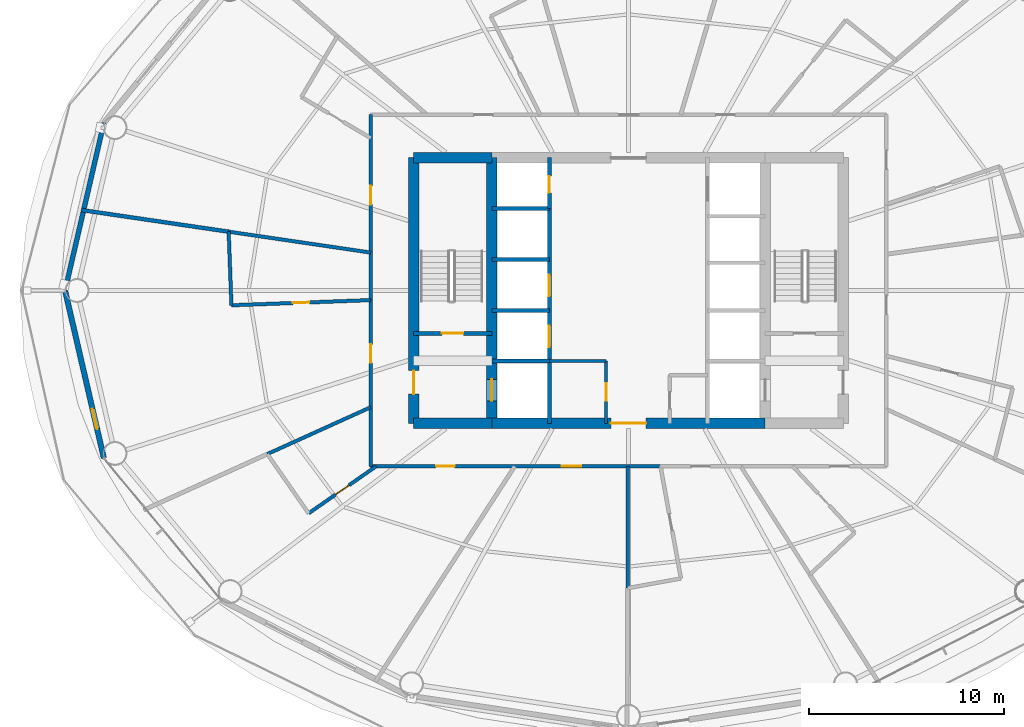
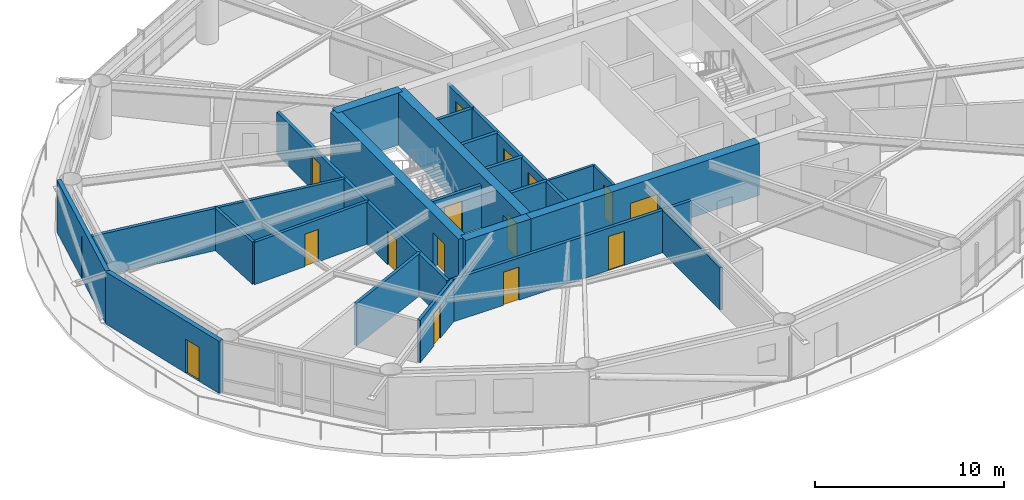
# One storey, part 18 of 24: 27 walls, 15 doors, 15 openings.
"""IFC4 building model written with IfcOpenShell, lengths in metres."""

from ifc_helpers import new_model, si_unit, direction, frame, frame_2d, origin, place, context, subcontext, project, spatial, rectangle, extrude, material, layer, layer_set, type_object, element, fill, save


model = new_model("IFC4")

# Units and contexts
model_context = context("Model", 3, precision=1e-05, world=origin(), true_north=direction((0.0, 1.0)))
body_context = subcontext(model_context, "Body", "Model", "MODEL_VIEW")
ifc_project = project(units=[si_unit("LENGTHUNIT", "METRE"), si_unit("AREAUNIT", "SQUARE_METRE"), si_unit("VOLUMEUNIT", "CUBIC_METRE"), si_unit("PLANEANGLEUNIT", "RADIAN"), si_unit("MASSUNIT", "GRAM", prefix="KILO")], contexts=[model_context])

# Site, building, storey
site_placement = place(None, origin())
site = spatial("IfcSite", under=ifc_project, at=site_placement, CompositionType="ELEMENT")
building_placement = place(site_placement, origin())
building = spatial("IfcBuilding", under=site, at=building_placement, Name="Sarneth Arch Tower", CompositionType="ELEMENT")
storey_placement = place(building_placement, frame((0.0, 0.0, 116.39990234375)))
storey = spatial("IfcBuildingStorey", under=building, at=storey_placement, Name="L29", CompositionType="ELEMENT", Elevation=116.39990234375)

# Wall
ifc_material_1 = material(Name="Concrete C60/75", Category="concrete")
ifc_layer_1 = layer(ifc_material_1, 0.550048828125)
ifc_layer_set_1 = layer_set([ifc_layer_1], Name="Concrete C60/75")
wall_type_1 = type_object("IfcWallType", Name="WALL-CORE-550", PredefinedType="SHEAR", material=ifc_layer_set_1)
wall_1_placement = place(storey_placement, frame((37.0, 35.199951171875, 0.0), z_axis=(0.0, 0.0, 1.0), x_axis=(1.0, 0.0, 0.0)))
element("IfcWall", 1, at=wall_1_placement, inside=storey, type_object=wall_type_1, Name="L29 Core shear wall S-W", PredefinedType="SHEAR", context=body_context, shape_type="SweptSolid", body=[
    extrude(rectangle(XDim=4.0, YDim=0.550048828125, at=frame_2d((2.0, 0.0))), origin(), (0.0, 0.0, 1.0), 3.380126953125),
])

# Wall, opening, door
wall_2_placement = place(storey_placement, frame((41.0, 35.199951171875, 0.0), z_axis=(0.0, 0.0, 1.0), x_axis=(1.0, 0.0, 0.0)))
wall_2 = element("IfcWall", 2, at=wall_2_placement, inside=storey, type_object=wall_type_1, Name="L29 Core shear wall S-M", PredefinedType="SHEAR", context=body_context, shape_type="SweptSolid", body=[
    extrude(rectangle(XDim=14.0, YDim=0.550048828125, at=frame_2d((7.0, 0.0))), origin(), (0.0, 0.0, 1.0), 3.380126953125),
])
opening_1_placement = place(wall_2_placement, frame((6.10009765625, 0.0, 0.0)))
opening_1 = element("IfcOpeningElement", 3, at=opening_1_placement, cuts=wall_2, Name="Opening FD-01", PredefinedType="OPENING", context=body_context, shape_type="SweptSolid", body=[
    extrude(rectangle(XDim=1.800048828125, YDim=2.25, at=frame_2d((0.89990234375, 1.125))), frame((0.0, 0.284912109375, 0.0), z_axis=(0.0, -1.0, 0.0), x_axis=(1.0, 0.0, 0.0)), (0.0, 0.0, 1.0), 0.570068359375),
])
ifc_material_2 = material(Name="Galvanised Steel S275 fire door set", Category="steel")
door_type_1 = type_object("IfcDoorType", Name="DR-FD90-1800", OperationType="DOUBLE_DOOR_SINGLE_SWING", PredefinedType="DOOR", material=ifc_material_2)
door_1_placement = place(opening_1_placement, origin())
door_1 = element("IfcDoor", 4, at=door_1_placement, inside=storey, type_object=door_type_1, Name="L29 Central lift lobby south door", OperationType="DOUBLE_DOOR_SINGLE_SWING", OverallHeight=2.25, OverallWidth=1.800048828125, PredefinedType="DOOR", context=body_context, shape_type="SweptSolid", body=[
    extrude(rectangle(XDim=1.800048828125, YDim=2.25, at=frame_2d((0.89990234375, 1.125))), frame((0.0, 0.02490234375, 0.0), z_axis=(0.0, -1.0, 0.0), x_axis=(1.0, 0.0, 0.0)), (0.0, 0.0, 1.0), 0.050048828125),
])
fill(opening_1, door_1)

# Wall
wall_3_placement = place(storey_placement, frame((37.0, 48.800048828125, 0.0), z_axis=(0.0, 0.0, 1.0), x_axis=(1.0, 0.0, 0.0)))
element("IfcWall", 5, at=wall_3_placement, inside=storey, type_object=wall_type_1, Name="L29 Core shear wall N-W", PredefinedType="SHEAR", context=body_context, shape_type="SweptSolid", body=[
    extrude(rectangle(XDim=4.0, YDim=0.550048828125, at=frame_2d((2.0, 0.0))), origin(), (0.0, 0.0, 1.0), 3.380126953125),
])

# Wall, opening, door
wall_4_placement = place(storey_placement, frame((37.0, 35.199951171875, 0.0), z_axis=(0.0, 0.0, 1.0), x_axis=(0.0, 1.0, 0.0)))
wall_4 = element("IfcWall", 6, at=wall_4_placement, inside=storey, type_object=wall_type_1, Name="L29 Core shear wall W", PredefinedType="SHEAR", context=body_context, shape_type="SweptSolid", body=[
    extrude(rectangle(XDim=13.60009765625, YDim=0.550048828125, at=frame_2d((6.800048828125, 0.0))), origin(), (0.0, 0.0, 1.0), 3.380126953125),
])
opening_2_placement = place(wall_4_placement, frame((1.5, 0.0, 0.0)))
opening_2 = element("IfcOpeningElement", 7, at=opening_2_placement, cuts=wall_4, Name="Opening FD-02", PredefinedType="OPENING", context=body_context, shape_type="SweptSolid", body=[
    extrude(rectangle(XDim=1.199951171875, YDim=2.14990234375, at=frame_2d((0.60009765625, 1.074951171875))), frame((0.0, 0.284912109375, 0.0), z_axis=(0.0, -1.0, 0.0), x_axis=(1.0, 0.0, 0.0)), (0.0, 0.0, 1.0), 0.570068359375),
])
ifc_material_3 = material(Name="Galvanised Steel S275 fire door set", Category="steel")
door_type_2 = type_object("IfcDoorType", Name="DR-FD90-1200", OperationType="SINGLE_SWING_LEFT", PredefinedType="DOOR", material=ifc_material_3)
door_2_placement = place(opening_2_placement, origin())
door_2 = element("IfcDoor", 8, at=door_2_placement, inside=storey, type_object=door_type_2, Name="L29 Firefighting lobby 1 exit door", OperationType="SINGLE_SWING_LEFT", OverallHeight=2.14990234375, OverallWidth=1.199951171875, PredefinedType="DOOR", context=body_context, shape_type="SweptSolid", body=[
    extrude(rectangle(XDim=1.199951171875, YDim=2.14990234375, at=frame_2d((0.60009765625, 1.074951171875))), frame((0.0, 0.02490234375, 0.0), z_axis=(0.0, -1.0, 0.0), x_axis=(1.0, 0.0, 0.0)), (0.0, 0.0, 1.0), 0.050048828125),
])
fill(opening_2, door_2)

wall_5_placement = place(storey_placement, frame((41.0, 35.199951171875, 0.0), z_axis=(0.0, 0.0, 1.0), x_axis=(0.0, 1.0, 0.0)))
wall_5 = element("IfcWall", 9, at=wall_5_placement, inside=storey, type_object=wall_type_1, Name="L29 Core shear wall WEB-W", PredefinedType="SHEAR", context=body_context, shape_type="SweptSolid", body=[
    extrude(rectangle(XDim=13.60009765625, YDim=0.550048828125, at=frame_2d((6.800048828125, 0.0))), origin(), (0.0, 0.0, 1.0), 3.380126953125),
])
opening_3_placement = place(wall_5_placement, frame((1.14990234375, 0.0, 0.0)))
opening_3 = element("IfcOpeningElement", 10, at=opening_3_placement, cuts=wall_5, Name="Opening LD-1", PredefinedType="OPENING", context=body_context, shape_type="SweptSolid", body=[
    extrude(rectangle(XDim=1.10009765625, YDim=2.199951171875, at=frame_2d((0.550048828125, 1.10009765625))), frame((0.0, 0.284912109375, 0.0), z_axis=(0.0, -1.0, 0.0), x_axis=(1.0, 0.0, 0.0)), (0.0, 0.0, 1.0), 0.570068359375),
])
ifc_material_4 = material(Name="Brushed Stainless Steel 304 lift landing door", Category="steel")
door_type_3 = type_object("IfcDoorType", Name="DR-LIFT-SLIDE-1100", OperationType="SLIDING_TO_LEFT", PredefinedType="DOOR", material=ifc_material_4)
door_3_placement = place(opening_3_placement, origin())
door_3 = element("IfcDoor", 11, at=door_3_placement, inside=storey, type_object=door_type_3, Name="L29 Firefighting lift landing door FL-1", OperationType="SLIDING_TO_LEFT", OverallHeight=2.199951171875, OverallWidth=1.10009765625, PredefinedType="DOOR", context=body_context, shape_type="SweptSolid", body=[
    extrude(rectangle(XDim=1.10009765625, YDim=2.199951171875, at=frame_2d((0.550048828125, 1.10009765625))), frame((0.0, 0.02490234375, 0.0), z_axis=(0.0, -1.0, 0.0), x_axis=(1.0, 0.0, 0.0)), (0.0, 0.0, 1.0), 0.050048828125),
])
fill(opening_3, door_3)

# Wall, openings, doors
ifc_material_5 = material(Name="Double steel-stud corridor fire wall", Category="steel")
ifc_layer_2 = layer(ifc_material_5, 0.18994140625)
ifc_layer_set_2 = layer_set([ifc_layer_2], Name="Double steel-stud corridor fire wall")
wall_type_2 = type_object("IfcWallType", Name="WALL-CORR-190", PredefinedType="PARTITIONING", material=ifc_layer_set_2)
wall_6_placement = place(storey_placement, frame((49.6708984375, 33.0, 0.0), z_axis=(0.0, 0.0, 1.0), x_axis=(-1.0, 0.0, 0.0)))
wall_6 = element("IfcWall", 12, at=wall_6_placement, inside=storey, type_object=wall_type_2, Name="L29 Interior partition W-L29-TP-014", PredefinedType="PARTITIONING", context=body_context, shape_type="SweptSolid", body=[
    extrude(rectangle(XDim=14.870849609375, YDim=0.18994140625, at=frame_2d((7.435546875, 0.0))), origin(), (0.0, 0.0, 1.0), 2.739990234375),
])
opening_4_placement = place(wall_6_placement, frame((10.576416015625, 0.0, 0.0)))
opening_4 = element("IfcOpeningElement", 13, at=opening_4_placement, cuts=wall_6, Name="Opening FD-09", PredefinedType="OPENING", context=body_context, shape_type="SweptSolid", body=[
    extrude(rectangle(XDim=0.949951171875, YDim=2.14990234375, at=frame_2d((0.47509765625, 1.074951171875))), frame((0.0, 0.10498046875, 0.0), z_axis=(0.0, -1.0, 0.0), x_axis=(1.0, 0.0, 0.0)), (0.0, 0.0, 1.0), 0.2099609375),
])
opening_5_placement = place(wall_6_placement, frame((4.1005859375, 0.0, 0.0)))
opening_5 = element("IfcOpeningElement", 14, at=opening_5_placement, cuts=wall_6, Name="Opening FD-08", PredefinedType="OPENING", context=body_context, shape_type="SweptSolid", body=[
    extrude(rectangle(XDim=1.0, YDim=2.199951171875, at=frame_2d((0.5, 1.10009765625))), frame((0.0, 0.10498046875, 0.0), z_axis=(0.0, -1.0, 0.0), x_axis=(1.0, 0.0, 0.0)), (0.0, 0.0, 1.0), 0.2099609375),
])
ifc_material_6 = material(Name="Hardwood timber acoustic fire door", Category="wood")
door_type_4 = type_object("IfcDoorType", Name="DR-FD60-1000", OperationType="SINGLE_SWING_LEFT", PredefinedType="DOOR", material=ifc_material_6)
door_4_placement = place(opening_5_placement, origin())
door_4 = element("IfcDoor", 15, at=door_4_placement, inside=storey, type_object=door_type_4, Name="L29 Interior door DR-L29-AMN-08", OperationType="SINGLE_SWING_LEFT", OverallHeight=2.199951171875, OverallWidth=1.0, PredefinedType="DOOR", context=body_context, shape_type="SweptSolid", body=[
    extrude(rectangle(XDim=1.0, YDim=2.199951171875, at=frame_2d((0.5, 1.10009765625))), frame((0.0, 0.02490234375, 0.0), z_axis=(0.0, -1.0, 0.0), x_axis=(1.0, 0.0, 0.0)), (0.0, 0.0, 1.0), 0.050048828125),
])
fill(opening_5, door_4)
ifc_material_7 = material(Name="Hardwood timber hotel entrance fire door", Category="wood")
door_type_5 = type_object("IfcDoorType", Name="DR-FD60-950", OperationType="SINGLE_SWING_RIGHT", PredefinedType="DOOR", material=ifc_material_7)
door_5_placement = place(opening_4_placement, origin())
door_5 = element("IfcDoor", 16, at=door_5_placement, inside=storey, type_object=door_type_5, Name="L29 Interior door DR-L29-KEY-07", OperationType="SINGLE_SWING_RIGHT", OverallHeight=2.14990234375, OverallWidth=0.949951171875, PredefinedType="DOOR", context=body_context, shape_type="SweptSolid", body=[
    extrude(rectangle(XDim=0.949951171875, YDim=2.14990234375, at=frame_2d((0.47509765625, 1.074951171875))), frame((0.0, 0.02490234375, 0.0), z_axis=(0.0, -1.0, 0.0), x_axis=(1.0, 0.0, 0.0)), (0.0, 0.0, 1.0), 0.050048828125),
])
fill(opening_4, door_5)

# Wall, opening, door
wall_7_placement = place(storey_placement, frame((34.800048828125, 41.4755859375, 0.0), z_axis=(0.0, 0.0, 1.0), x_axis=(0.0, 1.0, 0.0)))
wall_7 = element("IfcWall", 17, at=wall_7_placement, inside=storey, type_object=wall_type_2, Name="L29 Interior partition W-L29-TP-009", PredefinedType="PARTITIONING", context=body_context, shape_type="SweptSolid", body=[
    extrude(rectangle(XDim=9.5244140625, YDim=0.18994140625, at=frame_2d((4.76220703125, 0.0))), origin(), (0.0, 0.0, 1.0), 2.739990234375),
])
opening_6_placement = place(wall_7_placement, frame((4.924072265625, 0.0, 0.0)))
opening_6 = element("IfcOpeningElement", 18, at=opening_6_placement, cuts=wall_7, Name="Opening FD-09", PredefinedType="OPENING", context=body_context, shape_type="SweptSolid", body=[
    extrude(rectangle(XDim=0.949951171875, YDim=2.14990234375, at=frame_2d((0.47509765625, 1.074951171875))), frame((0.0, 0.10498046875, 0.0), z_axis=(0.0, -1.0, 0.0), x_axis=(1.0, 0.0, 0.0)), (0.0, 0.0, 1.0), 0.2099609375),
])
door_6_placement = place(opening_6_placement, origin())
door_6 = element("IfcDoor", 19, at=door_6_placement, inside=storey, type_object=door_type_5, Name="L29 Interior door DR-L29-KEY-05", OperationType="SINGLE_SWING_LEFT", OverallHeight=2.14990234375, OverallWidth=0.949951171875, PredefinedType="DOOR", context=body_context, shape_type="SweptSolid", body=[
    extrude(rectangle(XDim=0.949951171875, YDim=2.14990234375, at=frame_2d((0.47509765625, 1.074951171875))), frame((0.0, 0.02490234375, 0.0), z_axis=(0.0, -1.0, 0.0), x_axis=(1.0, 0.0, 0.0)), (0.0, 0.0, 1.0), 0.050048828125),
])
fill(opening_6, door_6)

wall_8_placement = place(storey_placement, frame((34.800048828125, 33.0, 0.0), z_axis=(0.0, 0.0, 1.0), x_axis=(0.0, 1.0, 0.0)))
wall_8 = element("IfcWall", 20, at=wall_8_placement, inside=storey, type_object=wall_type_2, Name="L29 Interior partition W-L29-TP-012", PredefinedType="PARTITIONING", context=body_context, shape_type="SweptSolid", body=[
    extrude(rectangle(XDim=8.53955078125, YDim=0.18994140625, at=frame_2d((4.269775390625, 0.0))), origin(), (0.0, 0.0, 1.0), 2.739990234375),
])
opening_7_placement = place(wall_8_placement, frame((5.288330078125, 0.0, 0.0)))
opening_7 = element("IfcOpeningElement", 21, at=opening_7_placement, cuts=wall_8, Name="Opening FD-09", PredefinedType="OPENING", context=body_context, shape_type="SweptSolid", body=[
    extrude(rectangle(XDim=0.949951171875, YDim=2.14990234375, at=frame_2d((0.47509765625, 1.074951171875))), frame((0.0, 0.10498046875, 0.0), z_axis=(0.0, -1.0, 0.0), x_axis=(1.0, 0.0, 0.0)), (0.0, 0.0, 1.0), 0.2099609375),
])
door_7_placement = place(opening_7_placement, origin())
door_7 = element("IfcDoor", 22, at=door_7_placement, inside=storey, type_object=door_type_5, Name="L29 Interior door DR-L29-KEY-06", OperationType="SINGLE_SWING_RIGHT", OverallHeight=2.14990234375, OverallWidth=0.949951171875, PredefinedType="DOOR", context=body_context, shape_type="SweptSolid", body=[
    extrude(rectangle(XDim=0.949951171875, YDim=2.14990234375, at=frame_2d((0.47509765625, 1.074951171875))), frame((0.0, 0.02490234375, 0.0), z_axis=(0.0, -1.0, 0.0), x_axis=(1.0, 0.0, 0.0)), (0.0, 0.0, 1.0), 0.050048828125),
])
fill(opening_7, door_7)

# Wall
ifc_material_8 = material(Name="Extruded terracotta rainscreen on Concrete C40/50 backing", Category="masonry")
ifc_layer_3 = layer(ifc_material_8, 0.25)
ifc_layer_set_3 = layer_set([ifc_layer_3], Name="Extruded terracotta rainscreen on Concrete C40/50 backing")
wall_type_3 = type_object("IfcWallType", Name="WALL-EXT-SPAND-250", PredefinedType="SOLIDWALL", material=ifc_layer_set_3)
wall_9_placement = place(storey_placement, frame((21.138671875, 50.58349609375, 0.0), z_axis=(0.0, 0.0, 1.0), x_axis=(-0.22558597182, -0.974223264616, 0.0)))
element("IfcWall", 23, at=wall_9_placement, inside=storey, type_object=wall_type_3, Name="L29 Terracotta perimeter wall 08", PredefinedType="SOLIDWALL", context=body_context, shape_type="SweptSolid", body=[
    extrude(rectangle(XDim=8.810546875, YDim=0.25, at=frame_2d((4.4052734375, 0.0))), origin(), (0.0, 0.0, 1.0), 3.380126953125),
])

# Wall, opening, door
ifc_material_9 = material(Name="Extruded terracotta rainscreen on Concrete C40/50 backing", Category="masonry")
ifc_layer_4 = layer(ifc_material_9, 0.280029296875)
ifc_layer_set_4 = layer_set([ifc_layer_4], Name="Extruded terracotta rainscreen on Concrete C40/50 backing")
wall_type_4 = type_object("IfcWallType", Name="WALL-EXT-TERRA-280", PredefinedType="SOLIDWALL", material=ifc_layer_set_4)
wall_10_placement = place(storey_placement, frame((19.151123046875, 42.0, 0.0), z_axis=(0.0, 0.0, 1.0), x_axis=(0.22558597182, -0.974223264616, 0.0)))
wall_10 = element("IfcWall", 24, at=wall_10_placement, inside=storey, type_object=wall_type_4, Name="L29 Terracotta perimeter wall 09", PredefinedType="SOLIDWALL", context=body_context, shape_type="SweptSolid", body=[
    extrude(rectangle(XDim=8.810546875, YDim=0.280029296875, at=frame_2d((4.4052734375, 0.0))), origin(), (0.0, 0.0, 1.0), 3.380126953125),
])
opening_8_placement = place(wall_10_placement, frame((6.224609375, 0.0, 0.0)))
opening_8 = element("IfcOpeningElement", 25, at=opening_8_placement, cuts=wall_10, Name="Opening BD-4", PredefinedType="OPENING", context=body_context, shape_type="SweptSolid", body=[
    extrude(rectangle(XDim=1.050048828125, YDim=2.199951171875, at=frame_2d((0.52490234375, 1.10009765625))), frame((0.0, 0.14990234375, 0.0), z_axis=(0.0, -1.0, 0.0), x_axis=(1.0, 0.0, 0.0)), (0.0, 0.0, 1.0), 0.300048828125),
])
ifc_material_10 = material(Name="Thermally broken Aluminium 6063-T6 and laminated safety glass", Category="aluminium")
door_type_6 = type_object("IfcDoorType", Name="DR-BALC-GLZ-1050", OperationType="SINGLE_SWING_RIGHT", PredefinedType="DOOR", material=ifc_material_10)
door_8_placement = place(opening_8_placement, origin())
door_8 = element("IfcDoor", 26, at=door_8_placement, inside=storey, type_object=door_type_6, Name="L29 Balcony glazed door 09", OperationType="SINGLE_SWING_RIGHT", OverallHeight=2.199951171875, OverallWidth=1.050048828125, PredefinedType="DOOR", context=body_context, shape_type="SweptSolid", body=[
    extrude(rectangle(XDim=1.050048828125, YDim=2.199951171875, at=frame_2d((0.52490234375, 1.10009765625))), frame((0.0, 0.02490234375, 0.0), z_axis=(0.0, -1.0, 0.0), x_axis=(1.0, 0.0, 0.0)), (0.0, 0.0, 1.0), 0.050048828125),
])
fill(opening_8, door_8)

# Wall
ifc_material_11 = material(Name="Acoustic gypsum stud partition", Category="gypsum")
ifc_layer_5 = layer(ifc_material_11, 0.14990234375)
ifc_layer_set_5 = layer_set([ifc_layer_5], Name="Acoustic gypsum stud partition")
wall_type_5 = type_object("IfcWallType", Name="WALL-PART-150", PredefinedType="PARTITIONING", material=ifc_layer_set_5)
wall_11_placement = place(storey_placement, frame((43.949951171875, 38.39990234375, 0.0), z_axis=(0.0, 0.0, 1.0), x_axis=(1.0, 0.0, 0.0)))
element("IfcWall", 27, at=wall_11_placement, inside=storey, type_object=wall_type_5, Name="L29 Interior partition W-L29-CSUP1-N", PredefinedType="PARTITIONING", context=body_context, shape_type="SweptSolid", body=[
    extrude(rectangle(XDim=2.900146484375, YDim=0.14990234375, at=frame_2d((1.4501953125, 0.0))), origin(), (0.0, 0.0, 1.0), 2.739990234375),
])

# Wall, opening, door
wall_12_placement = place(storey_placement, frame((46.85009765625, 35.199951171875, 0.0), z_axis=(0.0, 0.0, 1.0), x_axis=(0.0, 1.0, 0.0)))
wall_12 = element("IfcWall", 28, at=wall_12_placement, inside=storey, type_object=wall_type_5, Name="L29 Interior partition W-L29-CSUP1-E", PredefinedType="PARTITIONING", context=body_context, shape_type="SweptSolid", body=[
    extrude(rectangle(XDim=3.199951171875, YDim=0.14990234375, at=frame_2d((1.60009765625, 0.0))), origin(), (0.0, 0.0, 1.0), 2.739990234375),
])
opening_9_placement = place(wall_12_placement, frame((1.14990234375, 0.0, 0.0)))
opening_9 = element("IfcOpeningElement", 29, at=opening_9_placement, cuts=wall_12, Name="Opening FD-10", PredefinedType="OPENING", context=body_context, shape_type="SweptSolid", body=[
    extrude(rectangle(XDim=0.89990234375, YDim=2.14990234375, at=frame_2d((0.449951171875, 1.074951171875))), frame((0.0, 0.0849609375, 0.0), z_axis=(0.0, -1.0, 0.0), x_axis=(1.0, 0.0, 0.0)), (0.0, 0.0, 1.0), 0.169921875),
])
ifc_material_12 = material(Name="Galvanised Steel S275 riser/service fire door", Category="steel")
door_type_7 = type_object("IfcDoorType", Name="DR-FD60-900", OperationType="SINGLE_SWING_LEFT", PredefinedType="DOOR", material=ifc_material_12)
door_9_placement = place(opening_9_placement, origin())
door_9 = element("IfcDoor", 30, at=door_9_placement, inside=storey, type_object=door_type_7, Name="L29 Interior door DR-L29-CSUP1", OperationType="SINGLE_SWING_LEFT", OverallHeight=2.14990234375, OverallWidth=0.89990234375, PredefinedType="DOOR", context=body_context, shape_type="SweptSolid", body=[
    extrude(rectangle(XDim=0.89990234375, YDim=2.14990234375, at=frame_2d((0.449951171875, 1.074951171875))), frame((0.0, 0.02490234375, 0.0), z_axis=(0.0, -1.0, 0.0), x_axis=(1.0, 0.0, 0.0)), (0.0, 0.0, 1.0), 0.050048828125),
])
fill(opening_9, door_9)

# Wall
ifc_material_13 = material(Name="Moisture-resistant plumbing chase wall", Category="gypsum")
ifc_layer_6 = layer(ifc_material_13, 0.179931640625)
ifc_layer_set_6 = layer_set([ifc_layer_6], Name="Moisture-resistant plumbing chase wall")
wall_type_6 = type_object("IfcWallType", Name="WALL-PLUMB-180", PredefinedType="PLUMBINGWALL", material=ifc_layer_set_6)
wall_13_placement = place(storey_placement, frame((27.5283203125, 45.009765625, 0.0), z_axis=(0.0, 0.0, 1.0), x_axis=(0.989364619243, -0.145456695238, 0.0)))
element("IfcWall", 31, at=wall_13_placement, inside=storey, type_object=wall_type_6, Name="L29 Interior partition W-L29-TP-043", PredefinedType="PLUMBINGWALL", context=body_context, shape_type="SweptSolid", body=[
    extrude(rectangle(XDim=7.349853515625, YDim=0.179931640625, at=frame_2d((3.6748046875, 0.0))), origin(), (0.0, 0.0, 1.0), 2.739990234375),
])

# Wall, opening, door
wall_14_placement = place(storey_placement, frame((34.800048828125, 41.507568359375, 0.0), z_axis=(0.0, 0.0, 1.0), x_axis=(-0.999305711591, -0.037257144028, 0.0)))
wall_14 = element("IfcWall", 32, at=wall_14_placement, inside=storey, type_object=wall_type_6, Name="L29 Interior partition W-L29-TP-044", PredefinedType="PLUMBINGWALL", context=body_context, shape_type="SweptSolid", body=[
    extrude(rectangle(XDim=7.135986328125, YDim=0.179931640625, at=frame_2d((3.56787109375, 0.0))), origin(), (0.0, 0.0, 1.0), 2.739990234375),
])
opening_10_placement = place(wall_14_placement, frame((3.14306640625, 0.0, 0.0)))
opening_10 = element("IfcOpeningElement", 33, at=opening_10_placement, cuts=wall_14, Name="Opening ID-02", PredefinedType="OPENING", context=body_context, shape_type="SweptSolid", body=[
    extrude(rectangle(XDim=0.85009765625, YDim=2.10009765625, at=frame_2d((0.425048828125, 1.050048828125))), frame((0.0, 0.099853515625, 0.0), z_axis=(0.0, -1.0, 0.0), x_axis=(1.0, 0.0, 0.0)), (0.0, 0.0, 1.0), 0.199951171875),
])
ifc_material_14 = material(Name="Moisture-resistant bathroom timber door", Category="wood")
door_type_8 = type_object("IfcDoorType", Name="DR-INT-850", OperationType="SINGLE_SWING_RIGHT", PredefinedType="DOOR", material=ifc_material_14)
door_10_placement = place(opening_10_placement, origin())
door_10 = element("IfcDoor", 34, at=door_10_placement, inside=storey, type_object=door_type_8, Name="L29 Interior door DR-L29-ENS-06", OperationType="SINGLE_SWING_RIGHT", OverallHeight=2.10009765625, OverallWidth=0.85009765625, PredefinedType="DOOR", context=body_context, shape_type="SweptSolid", body=[
    extrude(rectangle(XDim=0.85009765625, YDim=2.10009765625, at=frame_2d((0.425048828125, 1.050048828125))), frame((0.0, 0.02490234375, 0.0), z_axis=(0.0, -1.0, 0.0), x_axis=(1.0, 0.0, 0.0)), (0.0, 0.0, 1.0), 0.050048828125),
])
fill(opening_10, door_10)

# Walls
wall_15_placement = place(storey_placement, frame((47.95166015625, 26.75830078125, 0.0), z_axis=(0.0, 0.0, 1.0), x_axis=(0.003168254458, 0.999994981069, 0.0)))
element("IfcWall", 35, at=wall_15_placement, inside=storey, type_object=wall_type_6, Name="L29 Interior partition W-L29-TP-052", PredefinedType="PLUMBINGWALL", context=body_context, shape_type="SweptSolid", body=[
    extrude(rectangle(XDim=6.24169921875, YDim=0.179931640625, at=frame_2d((3.120849609375, 0.0))), origin(), (0.0, 0.0, 1.0), 2.739990234375),
])
wall_16_placement = place(storey_placement, frame((29.507080078125, 33.62548828125, 0.0), z_axis=(0.0, 0.0, 1.0), x_axis=(0.910959840523, 0.412495053248, 0.0)))
element("IfcWall", 36, at=wall_16_placement, inside=storey, type_object=wall_type_6, Name="L29 Interior partition W-L29-TP-047", PredefinedType="PLUMBINGWALL", context=body_context, shape_type="SweptSolid", body=[
    extrude(rectangle(XDim=5.810302734375, YDim=0.179931640625, at=frame_2d((2.9052734375, 0.0))), origin(), (0.0, 0.0, 1.0), 2.739990234375),
])

# Wall, opening, door
wall_17_placement = place(storey_placement, frame((35.081298828125, 33.0, 0.0), z_axis=(0.0, 0.0, 1.0), x_axis=(-0.820508449427, -0.571634397512, 0.0)))
wall_17 = element("IfcWall", 37, at=wall_17_placement, inside=storey, type_object=wall_type_6, Name="L29 Interior partition W-L29-TP-048", PredefinedType="PLUMBINGWALL", context=body_context, shape_type="SweptSolid", body=[
    extrude(rectangle(XDim=4.21630859375, YDim=0.179931640625, at=frame_2d((2.108154296875, 0.0))), origin(), (0.0, 0.0, 1.0), 2.739990234375),
])
opening_11_placement = place(wall_17_placement, frame((1.68310546875, 0.0, 0.0)))
opening_11 = element("IfcOpeningElement", 38, at=opening_11_placement, cuts=wall_17, Name="Opening ID-02", PredefinedType="OPENING", context=body_context, shape_type="SweptSolid", body=[
    extrude(rectangle(XDim=0.85009765625, YDim=2.10009765625, at=frame_2d((0.425048828125, 1.050048828125))), frame((0.0, 0.099853515625, 0.0), z_axis=(0.0, -1.0, 0.0), x_axis=(1.0, 0.0, 0.0)), (0.0, 0.0, 1.0), 0.199951171875),
])
door_11_placement = place(opening_11_placement, origin())
door_11 = element("IfcDoor", 39, at=door_11_placement, inside=storey, type_object=door_type_8, Name="L29 Interior door DR-L29-ENS-07", OperationType="SINGLE_SWING_RIGHT", OverallHeight=2.10009765625, OverallWidth=0.85009765625, PredefinedType="DOOR", context=body_context, shape_type="SweptSolid", body=[
    extrude(rectangle(XDim=0.85009765625, YDim=2.10009765625, at=frame_2d((0.425048828125, 1.050048828125))), frame((0.0, 0.02490234375, 0.0), z_axis=(0.0, -1.0, 0.0), x_axis=(1.0, 0.0, 0.0)), (0.0, 0.0, 1.0), 0.050048828125),
])
fill(opening_11, door_11)

# Wall
wall_18_placement = place(storey_placement, frame((27.6689453125, 41.24169921875, 0.0), z_axis=(0.0, 0.0, 1.0), x_axis=(-0.037294239527, 0.999304327869, 0.0)))
element("IfcWall", 40, at=wall_18_placement, inside=storey, type_object=wall_type_6, Name="L29 Interior partition W-L29-TP-045", PredefinedType="PLUMBINGWALL", context=body_context, shape_type="SweptSolid", body=[
    extrude(rectangle(XDim=3.770751953125, YDim=0.179931640625, at=frame_2d((1.88525390625, 0.0))), origin(), (0.0, 0.0, 1.0), 2.739990234375),
])

# Wall, opening, door
ifc_material_15 = material(Name="Aerated concrete blockwork C25/30", Category="masonry")
ifc_layer_7 = layer(ifc_material_15, 0.199951171875)
ifc_layer_set_7 = layer_set([ifc_layer_7], Name="Aerated concrete blockwork C25/30")
wall_type_7 = type_object("IfcWallType", Name="WALL-SHAFT-200", PredefinedType="SOLIDWALL", material=ifc_layer_set_7)
wall_19_placement = place(storey_placement, frame((37.0, 39.800048828125, 0.0), z_axis=(0.0, 0.0, 1.0), x_axis=(1.0, 0.0, 0.0)))
wall_19 = element("IfcWall", 41, at=wall_19_placement, inside=storey, type_object=wall_type_7, Name="L29 Interior partition W-L29-ST1-S", PredefinedType="SOLIDWALL", context=body_context, shape_type="SweptSolid", body=[
    extrude(rectangle(XDim=4.0, YDim=0.199951171875, at=frame_2d((2.0, 0.0))), origin(), (0.0, 0.0, 1.0), 2.739990234375),
])
opening_12_placement = place(wall_19_placement, frame((1.449951171875, 0.0, 0.0)))
opening_12 = element("IfcOpeningElement", 42, at=opening_12_placement, cuts=wall_19, Name="Opening FD-03", PredefinedType="OPENING", context=body_context, shape_type="SweptSolid", body=[
    extrude(rectangle(XDim=1.10009765625, YDim=2.14990234375, at=frame_2d((0.550048828125, 1.074951171875))), frame((0.0, 0.10986328125, 0.0), z_axis=(0.0, -1.0, 0.0), x_axis=(1.0, 0.0, 0.0)), (0.0, 0.0, 1.0), 0.219970703125),
])
ifc_material_16 = material(Name="Galvanised Steel S275 fire door set", Category="steel")
door_type_9 = type_object("IfcDoorType", Name="DR-FD90-1100", OperationType="SINGLE_SWING_LEFT", PredefinedType="DOOR", material=ifc_material_16)
door_12_placement = place(opening_12_placement, origin())
door_12 = element("IfcDoor", 43, at=door_12_placement, inside=storey, type_object=door_type_9, Name="L29 Interior door DR-L29-ST1", OperationType="SINGLE_SWING_LEFT", OverallHeight=2.14990234375, OverallWidth=1.10009765625, PredefinedType="DOOR", context=body_context, shape_type="SweptSolid", body=[
    extrude(rectangle(XDim=1.10009765625, YDim=2.14990234375, at=frame_2d((0.550048828125, 1.074951171875))), frame((0.0, 0.02490234375, 0.0), z_axis=(0.0, -1.0, 0.0), x_axis=(1.0, 0.0, 0.0)), (0.0, 0.0, 1.0), 0.050048828125),
])
fill(opening_12, door_12)

# Walls
wall_20_placement = place(storey_placement, frame((43.949951171875, 35.199951171875, 0.0), z_axis=(0.0, 0.0, 1.0), x_axis=(0.0, 1.0, 0.0)))
element("IfcWall", 44, at=wall_20_placement, inside=storey, type_object=wall_type_7, Name="L29 Interior partition W-L29-FL1-E", PredefinedType="SOLIDWALL", context=body_context, shape_type="SweptSolid", body=[
    extrude(rectangle(XDim=3.199951171875, YDim=0.199951171875, at=frame_2d((1.60009765625, 0.0))), origin(), (0.0, 0.0, 1.0), 2.739990234375),
])
for number, where, z_axis, x_axis, name in (
    (45, (41.0, 38.39990234375, 0.0), (0.0, 0.0, 1.0), (1.0, 0.0, 0.0), "L29 Interior partition W-L29-FL1-N"),
    (46, (41.0, 46.199951171875, 0.0), (0.0, 0.0, 1.0), (1.0, 0.0, 0.0), "L29 Interior partition W-L29-RISER-S"),
):
    element("IfcWall", number, at=place(storey_placement, frame(where, z_axis=z_axis, x_axis=x_axis)), inside=storey, type_object=wall_type_7, Name=name, PredefinedType="SOLIDWALL", context=body_context, shape_type="SweptSolid", body=[
        extrude(rectangle(XDim=2.949951171875, YDim=0.199951171875, at=frame_2d((1.47509765625, 0.0))), origin(), (0.0, 0.0, 1.0), 2.739990234375),
    ])

# Wall, opening, door
wall_21_placement = place(storey_placement, frame((43.949951171875, 46.199951171875, 0.0), z_axis=(0.0, 0.0, 1.0), x_axis=(0.0, 1.0, 0.0)))
wall_21 = element("IfcWall", 47, at=wall_21_placement, inside=storey, type_object=wall_type_7, Name="L29 Interior partition W-L29-RISER-E", PredefinedType="SOLIDWALL", context=body_context, shape_type="SweptSolid", body=[
    extrude(rectangle(XDim=2.60009765625, YDim=0.199951171875, at=frame_2d((1.300048828125, 0.0))), origin(), (0.0, 0.0, 1.0), 2.739990234375),
])
opening_13_placement = place(wall_21_placement, frame((0.800048828125, 0.0, 0.0)))
opening_13 = element("IfcOpeningElement", 48, at=opening_13_placement, cuts=wall_21, Name="Opening FD-11", PredefinedType="OPENING", context=body_context, shape_type="SweptSolid", body=[
    extrude(rectangle(XDim=0.85009765625, YDim=2.14990234375, at=frame_2d((0.425048828125, 1.074951171875))), frame((0.0, 0.10986328125, 0.0), z_axis=(0.0, -1.0, 0.0), x_axis=(1.0, 0.0, 0.0)), (0.0, 0.0, 1.0), 0.219970703125),
])
ifc_material_17 = material(Name="Galvanised Steel S275 closet fire door", Category="steel")
door_type_10 = type_object("IfcDoorType", Name="DR-FD60-850", OperationType="SINGLE_SWING_LEFT", PredefinedType="DOOR", material=ifc_material_17)
door_13_placement = place(opening_13_placement, origin())
door_13 = element("IfcDoor", 49, at=door_13_placement, inside=storey, type_object=door_type_10, Name="L29 Lift landing door DR-L29-RISER", OperationType="SINGLE_SWING_LEFT", OverallHeight=2.14990234375, OverallWidth=0.85009765625, PredefinedType="DOOR", context=body_context, shape_type="SweptSolid", body=[
    extrude(rectangle(XDim=0.85009765625, YDim=2.14990234375, at=frame_2d((0.425048828125, 1.074951171875))), frame((0.0, 0.02490234375, 0.0), z_axis=(0.0, -1.0, 0.0), x_axis=(1.0, 0.0, 0.0)), (0.0, 0.0, 1.0), 0.050048828125),
])
fill(opening_13, door_13)

# Wall, openings, doors
wall_22_placement = place(storey_placement, frame((43.949951171875, 38.39990234375, 0.0), z_axis=(0.0, 0.0, 1.0), x_axis=(0.0, 1.0, 0.0)))
wall_22 = element("IfcWall", 50, at=wall_22_placement, inside=storey, type_object=wall_type_7, Name="L29 Interior partition W-L29-WESTBANK-FRONT", PredefinedType="SOLIDWALL", context=body_context, shape_type="SweptSolid", body=[
    extrude(rectangle(XDim=7.800048828125, YDim=0.199951171875, at=frame_2d((3.89990234375, 0.0))), origin(), (0.0, 0.0, 1.0), 2.739990234375),
])
opening_14_placement = place(wall_22_placement, frame((0.699951171875, 0.0, 0.0)))
opening_14 = element("IfcOpeningElement", 51, at=opening_14_placement, cuts=wall_22, Name="Opening LD-1", PredefinedType="OPENING", context=body_context, shape_type="SweptSolid", body=[
    extrude(rectangle(XDim=1.10009765625, YDim=2.199951171875, at=frame_2d((0.550048828125, 1.10009765625))), frame((0.0, 0.10986328125, 0.0), z_axis=(0.0, -1.0, 0.0), x_axis=(1.0, 0.0, 0.0)), (0.0, 0.0, 1.0), 0.219970703125),
])
opening_15_placement = place(wall_22_placement, frame((3.300048828125, 0.0, 0.0)))
opening_15 = element("IfcOpeningElement", 52, at=opening_15_placement, cuts=wall_22, Name="Opening LD-1", PredefinedType="OPENING", context=body_context, shape_type="SweptSolid", body=[
    extrude(rectangle(XDim=1.10009765625, YDim=2.199951171875, at=frame_2d((0.550048828125, 1.10009765625))), frame((0.0, 0.10986328125, 0.0), z_axis=(0.0, -1.0, 0.0), x_axis=(1.0, 0.0, 0.0)), (0.0, 0.0, 1.0), 0.219970703125),
])
door_14_placement = place(opening_14_placement, origin())
door_14 = element("IfcDoor", 53, at=door_14_placement, inside=storey, type_object=door_type_3, Name="L29 Lift landing door DR-L29-LD-PL1", OperationType="SLIDING_TO_LEFT", OverallHeight=2.199951171875, OverallWidth=1.10009765625, PredefinedType="DOOR", context=body_context, shape_type="SweptSolid", body=[
    extrude(rectangle(XDim=1.10009765625, YDim=2.199951171875, at=frame_2d((0.550048828125, 1.10009765625))), frame((0.0, 0.02490234375, 0.0), z_axis=(0.0, -1.0, 0.0), x_axis=(1.0, 0.0, 0.0)), (0.0, 0.0, 1.0), 0.050048828125),
])
fill(opening_14, door_14)
door_15_placement = place(opening_15_placement, origin())
door_15 = element("IfcDoor", 54, at=door_15_placement, inside=storey, type_object=door_type_3, Name="L29 Lift landing door DR-L29-LD-PL2", OperationType="SLIDING_TO_RIGHT", OverallHeight=2.199951171875, OverallWidth=1.10009765625, PredefinedType="DOOR", context=body_context, shape_type="SweptSolid", body=[
    extrude(rectangle(XDim=1.10009765625, YDim=2.199951171875, at=frame_2d((0.550048828125, 1.10009765625))), frame((0.0, 0.02490234375, 0.0), z_axis=(0.0, -1.0, 0.0), x_axis=(1.0, 0.0, 0.0)), (0.0, 0.0, 1.0), 0.050048828125),
])
fill(opening_15, door_15)

# Walls
for number, where, z_axis, x_axis, name in (
    (55, (41.0, 40.97998046875, 0.0), (0.0, 0.0, 1.0), (1.0, 0.0, 0.0), "L29 Interior partition W-L29-WB-DIV-4098"),
    (56, (41.0, 43.580078125, 0.0), (0.0, 0.0, 1.0), (1.0, 0.0, 0.0), "L29 Interior partition W-L29-WB-DIV-4358"),
):
    element("IfcWall", number, at=place(storey_placement, frame(where, z_axis=z_axis, x_axis=x_axis)), inside=storey, type_object=wall_type_7, Name=name, PredefinedType="SOLIDWALL", context=body_context, shape_type="SweptSolid", body=[
        extrude(rectangle(XDim=2.949951171875, YDim=0.199951171875, at=frame_2d((1.47509765625, 0.0))), origin(), (0.0, 0.0, 1.0), 2.739990234375),
    ])
ifc_material_18 = material(Name="Double steel-stud acoustic drywall", Category="steel")
ifc_layer_8 = layer(ifc_material_18, 0.199951171875)
ifc_layer_set_8 = layer_set([ifc_layer_8], Name="Double steel-stud acoustic drywall")
wall_type_8 = type_object("IfcWallType", Name="WALL-UNIT-200", PredefinedType="PARTITIONING", material=ifc_layer_set_8)
wall_23_placement = place(storey_placement, frame((19.982177734375, 46.119140625, 0.0), z_axis=(0.0, 0.0, 1.0), x_axis=(0.989365774641, -0.14544883626, 0.0)))
element("IfcWall", 57, at=wall_23_placement, inside=storey, type_object=wall_type_8, Name="L29 Interior partition W-L29-TP-042", PredefinedType="PARTITIONING", context=body_context, shape_type="SweptSolid", body=[
    extrude(rectangle(XDim=7.627197265625, YDim=0.199951171875, at=frame_2d((3.8134765625, 0.0))), origin(), (0.0, 0.0, 1.0), 2.739990234375),
])

save(model, "model.ifc")
